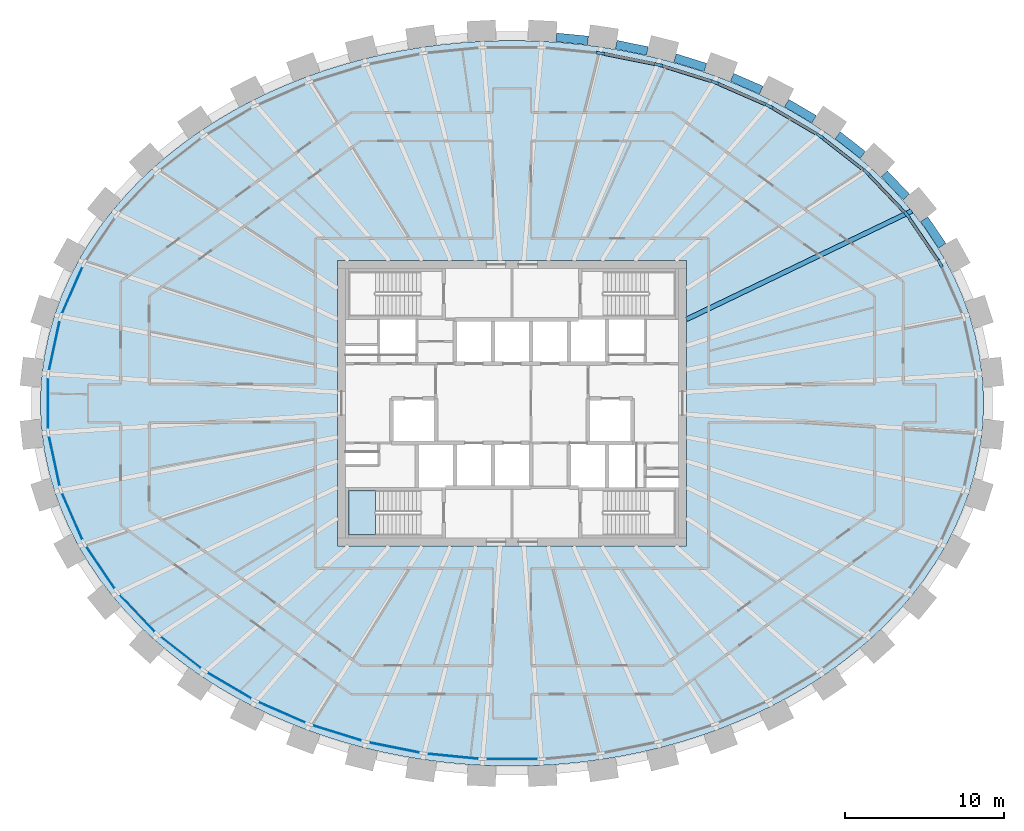
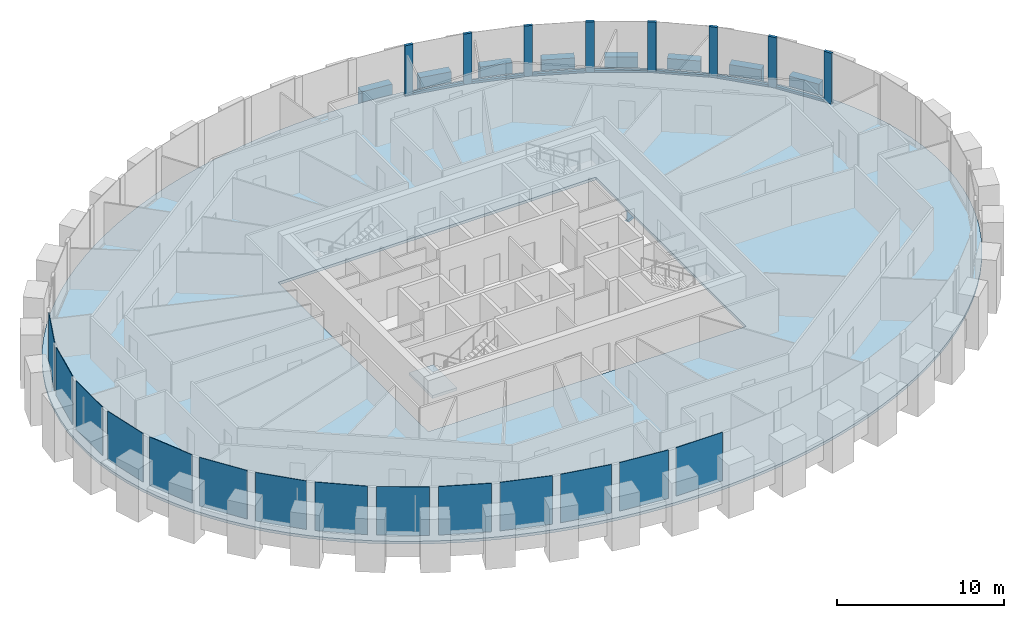
# One storey, part 4 of 12: 15 members, 14 plates, 9 beams, 2 slabs, 2 elements without a shape of their own.
"""IFC4 building model written with IfcOpenShell, lengths in metres."""

import ifcopenshell
import ifcopenshell.guid

model = None  # the IFC model being written
_history = None  # IfcOwnerHistory: only IFC2X3 demands one
_inside = {}  # id of a spatial element -> (the spatial element, [elements in it])
_under = {}  # id of a project, library or spatial element -> (it, [spatial elements below it])
_declared = {}  # id of a project -> (the project, [libraries it declares])
_typed = {}  # id of a type object -> (the type object, [elements of that type])
_made_of = {}  # id of a material, layer set ... -> (it, [elements and type objects made of it])


def new_model(schema):
    """Start an empty IFC model of exactly this schema.

    Asked for "IFC4X3", IfcOpenShell would pick the latest addendum, in which some entities
    have other attributes; the version numbers below select the first issue.
    IFC2X3 requires an IfcOwnerHistory on every rooted entity: one is made here for all.
    """
    global model, _history
    if schema == "IFC4X3":
        model = ifcopenshell.file(schema_version=(4, 3, 0, 0))
    else:
        model = ifcopenshell.file(schema=schema)
    _inside.clear()
    _under.clear()
    _declared.clear()
    _typed.clear()
    _made_of.clear()
    _history = None
    if model.schema == "IFC2X3":
        org = make("IfcOrganization", Name="unknown")
        user = make(
            "IfcPersonAndOrganization",
            ThePerson=make("IfcPerson", FamilyName="unknown"),
            TheOrganization=org,
        )
        app = make(
            "IfcApplication",
            ApplicationDeveloper=org,
            Version="unknown",
            ApplicationFullName="unknown",
            ApplicationIdentifier="unknown",
        )
        _history = make(
            "IfcOwnerHistory",
            OwningUser=user,
            OwningApplication=app,
            ChangeAction="ADDED",
            CreationDate=0,
        )
    return model


def make(cls, **values):
    """One entity of the class cls with the attributes given. An attribute that is None is left unset."""
    return model.create_entity(
        cls, **{name: value for name, value in values.items() if value is not None}
    )


def rooted(cls, **values):
    """An entity with a GlobalId (a new one), such as an element, a storey or a relation."""
    return make(cls, GlobalId=ifcopenshell.guid.new(), OwnerHistory=_history, **values)


def si_unit(unit_type, name, prefix=None):
    """IfcSIUnit, for example si_unit("LENGTHUNIT", "METRE", prefix="MILLI")."""
    return make("IfcSIUnit", UnitType=unit_type, Prefix=prefix, Name=name)


def assignment(units):
    """IfcUnitAssignment: the units of a project."""
    return None if units is None else make("IfcUnitAssignment", Units=units)


def point(xyz):
    """IfcCartesianPoint."""
    return None if xyz is None else make("IfcCartesianPoint", Coordinates=xyz)


def direction(xyz):
    """IfcDirection."""
    return None if xyz is None else make("IfcDirection", DirectionRatios=xyz)


def frame(location, z_axis=None, x_axis=None):
    """IfcAxis2Placement3D, a coordinate frame: its origin and axes. An axis left out is left unset."""
    return make(
        "IfcAxis2Placement3D",
        Location=point(location),
        Axis=direction(z_axis),
        RefDirection=direction(x_axis),
    )


def frame_2d(location, x_axis=None):
    """IfcAxis2Placement2D, a coordinate frame in the plane: its origin and x axis."""
    return make(
        "IfcAxis2Placement2D", Location=point(location), RefDirection=direction(x_axis)
    )


def origin():
    """The frame at (0, 0, 0) with its axes left unset."""
    return frame((0.0, 0.0, 0.0))


def origin_2d():
    """The frame at (0, 0) in the plane with its x axis left unset."""
    return frame_2d((0.0, 0.0))


def place(relative_to, where):
    """IfcLocalPlacement: puts the frame where relative to a parent placement (None: the world)."""
    return make(
        "IfcLocalPlacement", PlacementRelTo=relative_to, RelativePlacement=where
    )


def context(
    kind, dimensions, precision=None, world=None, true_north=None, identifier=None
):
    """IfcGeometricRepresentationContext, for example the 3D "Model" context."""
    return make(
        "IfcGeometricRepresentationContext",
        ContextIdentifier=identifier,
        ContextType=kind,
        CoordinateSpaceDimension=dimensions,
        Precision=precision,
        WorldCoordinateSystem=world,
        TrueNorth=true_north,
    )


def subcontext(parent, identifier, kind, view, scale=None):
    """IfcGeometricRepresentationSubContext, for example "Body" below "Model"."""
    return make(
        "IfcGeometricRepresentationSubContext",
        ContextIdentifier=identifier,
        ContextType=kind,
        ParentContext=parent,
        TargetScale=scale,
        TargetView=view,
    )


def project(units=None, contexts=None):
    """IfcProject with its units and contexts."""
    return rooted(
        "IfcProject",
        Name="project",
        RepresentationContexts=contexts,
        UnitsInContext=assignment(units),
    )


def spatial(cls, under=None, at=None, **own):
    """A site, building, storey or space (cls), placed at a placement, below another one or the project."""
    s = rooted(cls, ObjectPlacement=at, **own)
    if under is not None:
        _under.setdefault(under.id(), (under, []))[1].append(s)
    return s


def polyline(points):
    """IfcPolyline through the points."""
    return make("IfcPolyline", Points=[point(p) for p in points])


def profile(cls, at=None, kind="AREA", **sizes):
    """A parametric profile (cls). Its sizes go by their IFC names, for example OverallWidth=200.0."""
    return make(cls, ProfileType=kind, Position=at, **sizes)


def rectangle(**sizes):
    """IfcRectangleProfileDef."""
    return profile("IfcRectangleProfileDef", **sizes)


def i_section(**sizes):
    """IfcIShapeProfileDef."""
    return profile("IfcIShapeProfileDef", **sizes)


def outline(outer, holes=None, kind="AREA"):
    """IfcArbitraryClosedProfileDef: a profile drawn as a closed curve; with holes, ...WithVoids."""
    if holes is None:
        return make("IfcArbitraryClosedProfileDef", ProfileType=kind, OuterCurve=outer)
    return make(
        "IfcArbitraryProfileDefWithVoids",
        ProfileType=kind,
        OuterCurve=outer,
        InnerCurves=holes,
    )


def extrude(swept, where, along, depth):
    """IfcExtrudedAreaSolid: the profile swept, set in the frame where, extruded along a direction by depth."""
    return make(
        "IfcExtrudedAreaSolid",
        SweptArea=swept,
        Position=where,
        ExtrudedDirection=direction(along),
        Depth=depth,
    )


def shape(context_of_items, identifier, shape_type, items):
    """IfcShapeRepresentation: the items that make up one representation, for example the "Body"."""
    return make(
        "IfcShapeRepresentation",
        ContextOfItems=context_of_items,
        RepresentationIdentifier=identifier,
        RepresentationType=shape_type,
        Items=items,
    )


def source(mapping_origin, context_of_items, identifier, shape_type, items):
    """IfcRepresentationMap: a shape defined once, which mapped items show again and again."""
    return make(
        "IfcRepresentationMap",
        MappingOrigin=mapping_origin,
        MappedRepresentation=shape(context_of_items, identifier, shape_type, items),
    )


def transform(
    local_origin,
    x_axis=None,
    y_axis=None,
    z_axis=None,
    scale=None,
    scale2=None,
    scale3=None,
    uniform=True,
):
    """IfcCartesianTransformationOperator3D, or its non-uniform kind. x_axis, y_axis, z_axis: its Axis1, 2, 3."""
    if uniform:
        return make(
            "IfcCartesianTransformationOperator3D",
            Axis1=direction(x_axis),
            Axis2=direction(y_axis),
            LocalOrigin=point(local_origin),
            Scale=scale,
            Axis3=direction(z_axis),
        )
    return make(
        "IfcCartesianTransformationOperator3DnonUniform",
        Axis1=direction(x_axis),
        Axis2=direction(y_axis),
        LocalOrigin=point(local_origin),
        Scale=scale,
        Axis3=direction(z_axis),
        Scale2=scale2,
        Scale3=scale3,
    )


def mapped(mapping_source, mapping_target):
    """IfcMappedItem: shows the shape of a source again, moved by a transform."""
    return make(
        "IfcMappedItem", MappingSource=mapping_source, MappingTarget=mapping_target
    )


def material(Name=None, Category=None):
    """IfcMaterial."""
    return make("IfcMaterial", Name=Name, Category=Category)


def layer(
    of_material, thickness, ventilated=None, Name=None, Category=None, Priority=None
):
    """IfcMaterialLayer: one layer of a wall or slab, of a material (None: an air gap)."""
    return make(
        "IfcMaterialLayer",
        Material=of_material,
        LayerThickness=thickness,
        IsVentilated=ventilated,
        Name=Name,
        Category=Category,
        Priority=Priority,
    )


def layer_set(layers, Name=None):
    """IfcMaterialLayerSet."""
    return make("IfcMaterialLayerSet", MaterialLayers=layers, LayerSetName=Name)


def material_profile(
    of_material, cross_section, Name=None, Category=None, Priority=None
):
    """IfcMaterialProfile: a cross section and its material."""
    return make(
        "IfcMaterialProfile",
        Name=Name,
        Material=of_material,
        Profile=cross_section,
        Priority=Priority,
        Category=Category,
    )


def profile_set(profiles, Name=None, composite=None):
    """IfcMaterialProfileSet."""
    return make(
        "IfcMaterialProfileSet",
        Name=Name,
        MaterialProfiles=profiles,
        CompositeProfile=composite,
    )


def made_of(thing, what):
    """Note that an element or type object is made of a material, layer set ...; save() writes the relation."""
    if what is not None:
        _made_of.setdefault(what.id(), (what, []))[1].append(thing)
    return thing


def type_object(cls, material=None, **own):
    """A type object (cls), such as IfcWallType, which elements share."""
    return made_of(rooted(cls, **own), material)


def element(
    cls,
    number,
    at=None,
    inside=None,
    cuts=None,
    type_object=None,
    material=None,
    context=None,
    identifier="Body",
    shape_type=None,
    held_by="IfcProductDefinitionShape",
    body=None,
    shapes=None,
    **own,
):
    """One element of the class cls, such as IfcWall. Its Tag is "e" and its number.

    at: its placement. inside: the storey or other place that contains it. cuts: it is an
    opening in that element (IfcRelVoidsElement). A single representation is given by context,
    identifier, shape_type and body (its items); several are given by shapes. held_by: the class
    of the entity that holds the representations. save() writes the other relations.
    """
    e = rooted(cls, Tag="e%d" % number, ObjectPlacement=at, **own)
    if body is not None:
        shapes = [shape(context, identifier, shape_type, body)]
    if shapes is not None:
        e.Representation = make(held_by, Representations=shapes)
    if inside is not None:
        _inside.setdefault(inside.id(), (inside, []))[1].append(e)
    if cuts is not None:
        rooted(
            "IfcRelVoidsElement", RelatingBuildingElement=cuts, RelatedOpeningElement=e
        )
    if type_object is not None:
        _typed.setdefault(type_object.id(), (type_object, []))[1].append(e)
    return made_of(e, material)


def aggregate(whole, parts):
    """IfcRelAggregates: a whole, such as a stair, and the parts it consists of."""
    return rooted("IfcRelAggregates", RelatingObject=whole, RelatedObjects=parts)


def save(model, path):
    """Write the relations noted so far, then the file.

    IfcRelAggregates (storeys below a building ...), IfcRelContainedInSpatialStructure (elements
    in a storey), IfcRelDefinesByType, IfcRelAssociatesMaterial and IfcRelDeclares: one each for
    every whole, place, type object, material and project.
    """
    for whole, parts in _under.values():
        aggregate(whole, parts)
    for where, things in _inside.values():
        rooted(
            "IfcRelContainedInSpatialStructure",
            RelatedElements=things,
            RelatingStructure=where,
        )
    for kind, things in _typed.values():
        rooted("IfcRelDefinesByType", RelatedObjects=things, RelatingType=kind)
    for what, things in _made_of.values():
        rooted("IfcRelAssociatesMaterial", RelatedObjects=things, RelatingMaterial=what)
    for by, libraries in _declared.values():
        rooted("IfcRelDeclares", RelatingContext=by, RelatedDefinitions=libraries)
    model.write(path)


model = new_model("IFC4")

# Units and contexts
model_context = context("Model", 3, precision=1e-05, world=origin(), true_north=direction((0.0, 1.0)))
body_context = subcontext(model_context, "Body", "Model", "MODEL_VIEW")
ifc_project = project(units=[si_unit("LENGTHUNIT", "METRE"), si_unit("AREAUNIT", "SQUARE_METRE"), si_unit("VOLUMEUNIT", "CUBIC_METRE"), si_unit("PLANEANGLEUNIT", "RADIAN"), si_unit("MASSUNIT", "GRAM", prefix="KILO")], contexts=[model_context])

# Site, building, storey
site_placement = place(None, origin())
site = spatial("IfcSite", under=ifc_project, at=site_placement, CompositionType="ELEMENT")
building_placement = place(site_placement, origin())
building = spatial("IfcBuilding", under=site, at=building_placement, Name="Embergate Tower", CompositionType="ELEMENT")
storey_placement = place(building_placement, frame((0.0, 0.0, 309.10009765625)))
storey = spatial("IfcBuildingStorey", under=building, at=storey_placement, Name="L72", CompositionType="ELEMENT", Elevation=309.10009765625)

# Beams
ifc_material_1 = material(Name="Concrete C50", Category="concrete")
ifc_material_profile_1 = material_profile(ifc_material_1, rectangle(XDim=0.550048828125, YDim=1.5, at=origin_2d()), Name="RC 550x1500")
ifc_profile_set_1 = profile_set([ifc_material_profile_1], Name="Concrete C50")
beam_type_1 = type_object("IfcBeamType", Name="Spandrel beam RC 550x1500 C50", PredefinedType="BEAM", material=ifc_profile_set_1)
shared_shape_1 = source(origin(), body_context, "Body", "SweptSolid", [
    extrude(rectangle(XDim=0.550048828125, YDim=1.5, at=origin_2d()), origin(), (0.0, 0.0, 1.0), 2.02392578125),
])
beam_1_placement = place(storey_placement, frame((27.137939453125, 9.93505859375, 0.0), z_axis=(-0.562220937061, 0.826987072408, 0.0), x_axis=(-0.826987072408, -0.562220937061, 0.0)))
element("IfcBeam", 1, at=beam_1_placement, inside=storey, type_object=beam_type_1, Name="SPN-L72-02", PredefinedType="BEAM", context=body_context, shape_type="MappedRepresentation", body=[
    mapped(shared_shape_1, transform((0.0, 0.0, 0.0))),
])
shared_shape_2 = source(origin(), body_context, "Body", "SweptSolid", [
    extrude(rectangle(XDim=0.550048828125, YDim=1.5, at=origin_2d()), origin(), (0.0, 0.0, 1.0), 2.0185546875),
])
beam_2_placement = place(storey_placement, frame((24.868896484375, 13.009033203125, 0.0), z_axis=(-0.690032605045, 0.723778283714, 0.0), x_axis=(-0.723778283714, -0.690032605045, 0.0)))
element("IfcBeam", 2, at=beam_2_placement, inside=storey, type_object=beam_type_1, Name="SPN-L72-03", PredefinedType="BEAM", context=body_context, shape_type="MappedRepresentation", body=[
    mapped(shared_shape_2, transform((0.0, 0.0, 0.0))),
])
shared_shape_3 = source(origin(), body_context, "Body", "SweptSolid", [
    extrude(rectangle(XDim=0.550048828125, YDim=1.5, at=origin_2d()), origin(), (0.0, 0.0, 1.0), 2.011962890625),
])
beam_3_placement = place(storey_placement, frame((22.1279296875, 15.6640625, 0.0), z_axis=(-0.788259795351, 0.615342583471, 0.0), x_axis=(-0.615342583471, -0.788259795351, 0.0)))
element("IfcBeam", 3, at=beam_3_placement, inside=storey, type_object=beam_type_1, Name="SPN-L72-04", PredefinedType="BEAM", context=body_context, shape_type="MappedRepresentation", body=[
    mapped(shared_shape_3, transform((0.0, 0.0, 0.0))),
])
shared_shape_4 = source(origin(), body_context, "Body", "SweptSolid", [
    extrude(rectangle(XDim=0.550048828125, YDim=1.5, at=origin_2d()), origin(), (0.0, 0.0, 1.0), 2.008056640625),
])
beam_4_placement = place(storey_placement, frame((19.052978515625, 17.9140625, 0.0), z_axis=(-0.86201859197, 0.506876658663, 0.0), x_axis=(-0.506876658663, -0.86201859197, 0.0)))
element("IfcBeam", 4, at=beam_4_placement, inside=storey, type_object=beam_type_1, Name="SPN-L72-05", PredefinedType="BEAM", context=body_context, shape_type="MappedRepresentation", body=[
    mapped(shared_shape_4, transform((0.0, 0.0, 0.0))),
])
shared_shape_5 = source(origin(), body_context, "Body", "SweptSolid", [
    extrude(rectangle(XDim=0.550048828125, YDim=1.5, at=origin_2d()), origin(), (0.0, 0.0, 1.0), 2.0068359375),
])
beam_5_placement = place(storey_placement, frame((15.718994140625, 19.75, 0.0), z_axis=(-0.916455842534, 0.400135837793, 0.0), x_axis=(-0.400135837793, -0.916455842534, 0.0)))
element("IfcBeam", 5, at=beam_5_placement, inside=storey, type_object=beam_type_1, Name="SPN-L72-06", PredefinedType="BEAM", context=body_context, shape_type="MappedRepresentation", body=[
    mapped(shared_shape_5, transform((0.0, 0.0, 0.0))),
])
shared_shape_6 = source(origin(), body_context, "Body", "SweptSolid", [
    extrude(rectangle(XDim=0.550048828125, YDim=1.5, at=origin_2d()), origin(), (0.0, 0.0, 1.0), 2.0048828125),
])
beam_6_placement = place(storey_placement, frame((12.194091796875, 21.181884765625, 0.0), z_axis=(-0.954756929567, 0.297387298725, 0.0), x_axis=(-0.297387298725, -0.954756929567, 0.0)))
element("IfcBeam", 6, at=beam_6_placement, inside=storey, type_object=beam_type_1, Name="SPN-L72-07", PredefinedType="BEAM", context=body_context, shape_type="MappedRepresentation", body=[
    mapped(shared_shape_6, transform((0.0, 0.0, 0.0))),
])
shared_shape_7 = source(origin(), body_context, "Body", "SweptSolid", [
    extrude(rectangle(XDim=0.550048828125, YDim=1.5, at=origin_2d()), origin(), (0.0, 0.0, 1.0), 2.003173828125),
])
beam_7_placement = place(storey_placement, frame((8.535888671875, 22.222900390625, 0.0), z_axis=(-0.980364457571, 0.197194143753, 0.0), x_axis=(-0.197194143753, -0.980364457571, 0.0)))
element("IfcBeam", 7, at=beam_7_placement, inside=storey, type_object=beam_type_1, Name="SPN-L72-08", PredefinedType="BEAM", context=body_context, shape_type="MappedRepresentation", body=[
    mapped(shared_shape_7, transform((0.0, 0.0, 0.0))),
])
shared_shape_8 = source(origin(), body_context, "Body", "SweptSolid", [
    extrude(rectangle(XDim=0.550048828125, YDim=1.5, at=origin_2d()), origin(), (0.0, 0.0, 1.0), 2.00341796875),
])
beam_8_placement = place(storey_placement, frame((4.7919921875, 22.883056640625, 0.0), z_axis=(-0.995201107697, 0.097850678276, 0.0), x_axis=(-0.097850678276, -0.995201107697, 0.0)))
element("IfcBeam", 8, at=beam_8_placement, inside=storey, type_object=beam_type_1, Name="SPN-L72-09", PredefinedType="BEAM", context=body_context, shape_type="MappedRepresentation", body=[
    mapped(shared_shape_8, transform((0.0, 0.0, 0.0))),
])
ifc_material_2 = material(Name="Steel Q355B", Category="steel")
ifc_material_profile_2 = material_profile(ifc_material_2, i_section(OverallWidth=0.300048828125, OverallDepth=0.800048828125, WebThickness=0.013916015625, FlangeThickness=0.02587890625, FilletRadius=0.028076171875, at=origin_2d()), Name="HN 800x300x14x26")
ifc_profile_set_2 = profile_set([ifc_material_profile_2], Name="Steel Q355 grade B")
beam_type_2 = type_object("IfcBeamType", Name="Radial girder HN 800x300x14x26", PredefinedType="BEAM", material=ifc_profile_set_2)
shared_shape_9 = source(origin(), body_context, "Body", "SweptSolid", [
    extrude(i_section(OverallWidth=0.300048828125, OverallDepth=0.800048828125, WebThickness=0.013916015625, FlangeThickness=0.02587890625, FilletRadius=0.028076171875, at=origin_2d()), origin(), (0.0, 0.0, 1.0), 15.775634765625),
])
beam_9_placement = place(storey_placement, frame((25.216064453125, 12.131103515625, -0.60009765625), z_axis=(-0.901141870193, -0.433524312795, 0.0), x_axis=(0.433524312795, -0.901141870193, 0.0)))
element("IfcBeam", 9, at=beam_9_placement, inside=storey, type_object=beam_type_2, Name="GIR-L72-03", PredefinedType="BEAM", context=body_context, shape_type="MappedRepresentation", body=[
    mapped(shared_shape_9, transform((0.0, 0.0, 0.0))),
])

# Curtain wall, members
ifc_material_3 = material(Name="Aluminium and glass", Category="aluminium")
curtain_wall_type = type_object("IfcCurtainWallType", Name="Recessed office glazing", PredefinedType="NOTDEFINED", material=ifc_material_3)
curtain_wall_placement = place(storey_placement, origin())
curtain_wall = element("IfcCurtainWall", 10, at=curtain_wall_placement, inside=storey, type_object=curtain_wall_type, Name="Recessed office glazing ring", ObjectType="RECESSED OFFICE GLAZING", PredefinedType="USERDEFINED")
ifc_material_4 = material(Name="Aluminium, thermally broken", Category="aluminium")
ifc_material_profile_3 = material_profile(ifc_material_4, rectangle(XDim=0.179931640625, YDim=0.52001953125, at=origin_2d()), Name="AL 520x180")
ifc_profile_set_3 = profile_set([ifc_material_profile_3], Name="Aluminium, thermally broken")
member_type_1 = type_object("IfcMemberType", Name="Office mullion", PredefinedType="MULLION", material=ifc_profile_set_3)
shared_shape_10 = source(origin(), body_context, "Body", "SweptSolid", [
    extrude(rectangle(XDim=0.179931640625, YDim=0.52001953125, at=origin_2d()), origin(), (0.0, 0.0, 1.0), 3.699951171875),
])
member_1_placement = place(storey_placement, frame((26.994140625, 8.824951171875, 0.0), z_axis=(0.0, 0.0, 1.0), x_axis=(-0.87499344622, -0.484134763338, 0.0)))
member_1 = element("IfcMember", 11, at=member_1_placement, type_object=member_type_1, Name="CW mullion 3", PredefinedType="MULLION", context=body_context, shape_type="MappedRepresentation", body=[
    mapped(shared_shape_10, transform((0.0, 0.0, 0.0))),
])
member_2_placement = place(storey_placement, frame((24.913330078125, 11.884765625, 0.0), z_axis=(0.0, 0.0, 1.0), x_axis=(-0.777863789852, -0.628432911643, 0.0)))
member_2 = element("IfcMember", 12, at=member_2_placement, type_object=member_type_1, Name="CW mullion 4", PredefinedType="MULLION", context=body_context, shape_type="MappedRepresentation", body=[
    mapped(shared_shape_10, transform((0.0, 0.0, 0.0))),
])
member_3_placement = place(storey_placement, frame((22.353759765625, 14.56884765625, 0.0), z_axis=(0.0, 0.0, 1.0), x_axis=(-0.671220065284, -0.741258135847, 0.0)))
member_3 = element("IfcMember", 13, at=member_3_placement, type_object=member_type_1, Name="CW mullion 5", PredefinedType="MULLION", context=body_context, shape_type="MappedRepresentation", body=[
    mapped(shared_shape_10, transform((0.0, 0.0, 0.0))),
])
member_4_placement = place(storey_placement, frame((19.42431640625, 16.855224609375, 0.0), z_axis=(0.0, 0.0, 1.0), x_axis=(-0.56221328843, -0.826992272221, 0.0)))
member_4 = element("IfcMember", 14, at=member_4_placement, type_object=member_type_1, Name="CW mullion 6", PredefinedType="MULLION", context=body_context, shape_type="MappedRepresentation", body=[
    mapped(shared_shape_10, transform((0.0, 0.0, 0.0))),
])
member_5_placement = place(storey_placement, frame((16.2158203125, 18.741455078125, 0.0), z_axis=(0.0, 0.0, 1.0), x_axis=(-0.454508271251, -0.890742516872, 0.0)))
member_5 = element("IfcMember", 15, at=member_5_placement, type_object=member_type_1, Name="CW mullion 7", PredefinedType="MULLION", context=body_context, shape_type="MappedRepresentation", body=[
    mapped(shared_shape_10, transform((0.0, 0.0, 0.0))),
])
member_6_placement = place(storey_placement, frame((12.801513671875, 20.234619140625, 0.0), z_axis=(0.0, 0.0, 1.0), x_axis=(-0.349501047589, -0.936935973124, 0.0)))
member_6 = element("IfcMember", 16, at=member_6_placement, type_object=member_type_1, Name="CW mullion 8", PredefinedType="MULLION", context=body_context, shape_type="MappedRepresentation", body=[
    mapped(shared_shape_10, transform((0.0, 0.0, 0.0))),
])
member_7_placement = place(storey_placement, frame((9.240478515625, 21.343505859375, 0.0), z_axis=(0.0, 0.0, 1.0), x_axis=(-0.24731188137, -0.968935928394, 0.0)))
member_7 = element("IfcMember", 17, at=member_7_placement, type_object=member_type_1, Name="CW mullion 9", PredefinedType="MULLION", context=body_context, shape_type="MappedRepresentation", body=[
    mapped(shared_shape_10, transform((0.0, 0.0, 0.0))),
])
member_8_placement = place(storey_placement, frame((5.581787109375, 22.0771484375, 0.0), z_axis=(0.0, 0.0, 1.0), x_axis=(-0.147412382818, -0.989075118174, 0.0)))
member_8 = element("IfcMember", 18, at=member_8_placement, type_object=member_type_1, Name="CW mullion 10", PredefinedType="MULLION", context=body_context, shape_type="MappedRepresentation", body=[
    mapped(shared_shape_10, transform((0.0, 0.0, 0.0))),
])
ifc_material_profile_4 = material_profile(ifc_material_4, rectangle(XDim=0.179931640625, YDim=0.14990234375, at=origin_2d()), Name="AL 150x180")
ifc_profile_set_4 = profile_set([ifc_material_profile_4], Name="Aluminium, thermally broken")
member_type_2 = type_object("IfcMemberType", Name="Office sill transom", PredefinedType="USERDEFINED", material=ifc_profile_set_4)
shared_shape_11 = source(origin(), body_context, "Body", "SweptSolid", [
    extrude(rectangle(XDim=0.179931640625, YDim=0.14990234375, at=origin_2d()), origin(), (0.0, 0.0, 1.0), 3.180419921875),
])
member_9_placement = place(storey_placement, frame((26.847900390625, 9.039794921875, 0.074951171875), z_axis=(-0.562276427382, 0.826949345009, 0.0), x_axis=(-0.826949345009, -0.562276427382, 0.0)))
member_9 = element("IfcMember", 19, at=member_9_placement, type_object=member_type_2, Name="CW transom 3.1", ObjectType="TRANSOM", PredefinedType="USERDEFINED", context=body_context, shape_type="MappedRepresentation", body=[
    mapped(shared_shape_11, transform((0.0, 0.0, 0.0))),
])
shared_shape_12 = source(origin(), body_context, "Body", "SweptSolid", [
    extrude(rectangle(XDim=0.179931640625, YDim=0.14990234375, at=origin_2d()), origin(), (0.0, 0.0, 1.0), 3.188720703125),
])
member_10_placement = place(storey_placement, frame((24.73388671875, 12.072998046875, 0.074951171875), z_axis=(-0.690140615527, 0.723675293761, 0.0), x_axis=(-0.723675293761, -0.690140615527, 0.0)))
member_10 = element("IfcMember", 20, at=member_10_placement, type_object=member_type_2, Name="CW transom 4.1", ObjectType="TRANSOM", PredefinedType="USERDEFINED", context=body_context, shape_type="MappedRepresentation", body=[
    mapped(shared_shape_12, transform((0.0, 0.0, 0.0))),
])
shared_shape_13 = source(origin(), body_context, "Body", "SweptSolid", [
    extrude(rectangle(XDim=0.179931640625, YDim=0.14990234375, at=origin_2d()), origin(), (0.0, 0.0, 1.0), 3.196044921875),
])
member_11_placement = place(storey_placement, frame((22.148681640625, 14.728759765625, 0.074951171875), z_axis=(-0.788302228684, 0.615288222098, 0.0), x_axis=(-0.615288222098, -0.788302228684, 0.0)))
member_11 = element("IfcMember", 21, at=member_11_placement, type_object=member_type_2, Name="CW transom 5.1", ObjectType="TRANSOM", PredefinedType="USERDEFINED", context=body_context, shape_type="MappedRepresentation", body=[
    mapped(shared_shape_13, transform((0.0, 0.0, 0.0))),
])
shared_shape_14 = source(origin(), body_context, "Body", "SweptSolid", [
    extrude(rectangle(XDim=0.179931640625, YDim=0.14990234375, at=origin_2d()), origin(), (0.0, 0.0, 1.0), 3.201904296875),
])
member_12_placement = place(storey_placement, frame((19.2001953125, 16.98681640625, 0.074951171875), z_axis=(-0.862053756613, 0.506816851248, 0.0), x_axis=(-0.506816851248, -0.862053756613, 0.0)))
member_12 = element("IfcMember", 22, at=member_12_placement, type_object=member_type_2, Name="CW transom 6.1", ObjectType="TRANSOM", PredefinedType="USERDEFINED", context=body_context, shape_type="MappedRepresentation", body=[
    mapped(shared_shape_14, transform((0.0, 0.0, 0.0))),
])
shared_shape_15 = source(origin(), body_context, "Body", "SweptSolid", [
    extrude(rectangle(XDim=0.179931640625, YDim=0.14990234375, at=origin_2d()), origin(), (0.0, 0.0, 1.0), 3.206298828125),
])
member_13_placement = place(storey_placement, frame((15.9775390625, 18.845703125, 0.074951171875), z_axis=(-0.916225475643, 0.400663047688, 0.0), x_axis=(-0.400663047688, -0.916225475643, 0.0)))
member_13 = element("IfcMember", 23, at=member_13_placement, type_object=member_type_2, Name="CW transom 7.1", ObjectType="TRANSOM", PredefinedType="USERDEFINED", context=body_context, shape_type="MappedRepresentation", body=[
    mapped(shared_shape_15, transform((0.0, 0.0, 0.0))),
])
shared_shape_16 = source(origin(), body_context, "Body", "SweptSolid", [
    extrude(rectangle(XDim=0.179931640625, YDim=0.14990234375, at=origin_2d()), origin(), (0.0, 0.0, 1.0), 3.20947265625),
])
member_14_placement = place(storey_placement, frame((12.55322265625, 20.311767578125, 0.074951171875), z_axis=(-0.954765144534, 0.297360923431, 0.0), x_axis=(-0.297360923431, -0.954765144534, 0.0)))
member_14 = element("IfcMember", 24, at=member_14_placement, type_object=member_type_2, Name="CW transom 8.1", ObjectType="TRANSOM", PredefinedType="USERDEFINED", context=body_context, shape_type="MappedRepresentation", body=[
    mapped(shared_shape_16, transform((0.0, 0.0, 0.0))),
])
shared_shape_17 = source(origin(), body_context, "Body", "SweptSolid", [
    extrude(rectangle(XDim=0.179931640625, YDim=0.14990234375, at=origin_2d()), origin(), (0.0, 0.0, 1.0), 3.211669921875),
])
member_15_placement = place(storey_placement, frame((8.985595703125, 21.39453125, 0.074951171875), z_axis=(-0.980472347912, 0.196656998298, 0.0), x_axis=(-0.196656998298, -0.980472347912, 0.0)))
member_15 = element("IfcMember", 25, at=member_15_placement, type_object=member_type_2, Name="CW transom 9.1", ObjectType="TRANSOM", PredefinedType="USERDEFINED", context=body_context, shape_type="MappedRepresentation", body=[
    mapped(shared_shape_17, transform((0.0, 0.0, 0.0))),
])

# Slab
ifc_material_5 = material(Name="Concrete C40", Category="concrete")
ifc_layer_1 = layer(ifc_material_5, 0.199951171875)
ifc_layer_set_1 = layer_set([ifc_layer_1], Name="Concrete C40")
slab_type_1 = type_object("IfcSlabType", Name="Composite floor slab C40 200", PredefinedType="FLOOR", material=ifc_layer_set_1)
shared_shape_18 = source(origin(), body_context, "Body", "SweptSolid", [
    extrude(outline(polyline([(0.0, 0.0), (1.2578125, 0.0), (2.514892578125, 0.041015625), (3.77197265625, 0.123046875), (5.02392578125, 0.24609375), (6.267822265625, 0.41015625), (7.513916015625, 0.615966796875), (8.746826171875, 0.864013671875), (9.9658203125, 1.152099609375), (11.18701171875, 1.485107421875), (12.387939453125, 1.859130859375), (13.56591796875, 2.27294921875), (14.746826171875, 2.737060546875), (15.89892578125, 3.240966796875), (17.02099609375, 3.783935546875), (18.142822265625, 4.382080078125), (19.226806640625, 5.02001953125), (20.27197265625, 5.695068359375), (21.309814453125, 6.43212890625), (22.301025390625, 7.205078125), (23.243896484375, 8.01416015625), (24.1689453125, 8.89013671875), (25.035888671875, 9.800048828125), (25.844970703125, 10.741943359375), (26.619873046875, 11.7529296875), (27.326904296875, 12.7919921875), (27.9638671875, 13.858154296875), (28.546875, 14.987060546875), (29.052001953125, 16.137939453125), (29.476806640625, 17.30810546875), (29.827880859375, 18.52392578125), (30.091796875, 19.751953125), (30.268798828125, 20.989990234375), (30.35888671875, 22.2451171875), (30.35888671875, 23.5009765625), (30.268798828125, 24.756103515625), (30.091796875, 25.994140625), (29.827880859375, 27.22216796875), (29.476806640625, 28.43798828125), (29.052001953125, 29.608154296875), (28.546875, 30.759033203125), (27.9638671875, 31.887939453125), (27.326904296875, 32.9541015625), (26.619873046875, 33.9931640625), (25.844970703125, 35.004150390625), (25.035888671875, 35.946044921875), (24.1689453125, 36.85595703125), (23.243896484375, 37.73193359375), (22.301025390625, 38.541015625), (21.309814453125, 39.31396484375), (20.27197265625, 40.051025390625), (19.226806640625, 40.72607421875), (18.142822265625, 41.364013671875), (17.02099609375, 41.962158203125), (15.89892578125, 42.505126953125), (14.746826171875, 43.009033203125), (13.56591796875, 43.47314453125), (12.387939453125, 43.886962890625), (11.18701171875, 44.260986328125), (9.9658203125, 44.593994140625), (8.746826171875, 44.882080078125), (7.513916015625, 45.130126953125), (6.267822265625, 45.3359375), (5.02392578125, 45.5), (3.77197265625, 45.623046875), (2.514892578125, 45.705078125), (1.2578125, 45.74609375), (0.0, 45.74609375), (-1.257080078125, 45.705078125), (-2.51416015625, 45.623046875), (-3.76611328125, 45.5), (-5.010009765625, 45.3359375), (-6.256103515625, 45.130126953125), (-7.489013671875, 44.882080078125), (-8.7080078125, 44.593994140625), (-9.92919921875, 44.260986328125), (-11.130126953125, 43.886962890625), (-12.30810546875, 43.47314453125), (-13.489013671875, 43.009033203125), (-14.64111328125, 42.505126953125), (-15.76318359375, 41.962158203125), (-16.885009765625, 41.364013671875), (-17.968994140625, 40.72607421875), (-19.01416015625, 40.051025390625), (-20.052001953125, 39.31396484375), (-21.043212890625, 38.541015625), (-21.986083984375, 37.73193359375), (-22.9111328125, 36.85595703125), (-23.778076171875, 35.946044921875), (-24.587158203125, 35.004150390625), (-25.362060546875, 33.9931640625), (-26.069091796875, 32.9541015625), (-26.7060546875, 31.887939453125), (-27.2890625, 30.759033203125), (-27.794189453125, 29.608154296875), (-28.218994140625, 28.43798828125), (-28.570068359375, 27.22216796875), (-28.833984375, 25.994140625), (-29.010986328125, 24.756103515625), (-29.10107421875, 23.5009765625), (-29.10107421875, 22.2451171875), (-29.010986328125, 20.989990234375), (-28.833984375, 19.751953125), (-28.570068359375, 18.52392578125), (-28.218994140625, 17.30810546875), (-27.794189453125, 16.137939453125), (-27.2890625, 14.987060546875), (-26.7060546875, 13.858154296875), (-26.069091796875, 12.7919921875), (-25.362060546875, 11.7529296875), (-24.587158203125, 10.741943359375), (-23.778076171875, 9.800048828125), (-22.9111328125, 8.89013671875), (-21.986083984375, 8.01416015625), (-21.043212890625, 7.205078125), (-20.052001953125, 6.43212890625), (-19.01416015625, 5.695068359375), (-17.968994140625, 5.02001953125), (-16.885009765625, 4.382080078125), (-15.76318359375, 3.783935546875), (-14.64111328125, 3.240966796875), (-13.489013671875, 2.737060546875), (-12.30810546875, 2.27294921875), (-11.130126953125, 1.859130859375), (-9.92919921875, 1.485107421875), (-8.7080078125, 1.152099609375), (-7.489013671875, 0.864013671875), (-6.256103515625, 0.615966796875), (-5.010009765625, 0.41015625), (-3.76611328125, 0.24609375), (-2.51416015625, 0.123046875), (-1.257080078125, 0.041015625), (0.0, 0.0)]), holes=[polyline([(-10.37109375, 13.873046875), (-10.37109375, 31.873046875), (11.62890625, 31.873046875), (11.62890625, 13.873046875), (-10.37109375, 13.873046875)])]), origin(), (0.0, 0.0, 1.0), 0.2001953125),
])
slab_1_placement = place(storey_placement, frame((-0.62890625, -22.873046875, -0.2001953125)))
element("IfcSlab", 26, at=slab_1_placement, inside=storey, type_object=slab_type_1, Name="SLB-L72-00", PredefinedType="FLOOR", context=body_context, shape_type="MappedRepresentation", body=[
    mapped(shared_shape_18, transform((0.0, 0.0, 0.0))),
])

# Plate
ifc_material_6 = material(Name="Triple glazing, low-emissivity coating", Category="glass")
ifc_layer_2 = layer(ifc_material_6, 0.035888671875)
ifc_layer_set_2 = layer_set([ifc_layer_2], Name="Triple glazing, low-emissivity coating")
plate_type = type_object("IfcPlateType", Name="Office glazing unit", PredefinedType="CURTAIN_PANEL", material=ifc_layer_set_2)
shared_shape_19 = source(origin(), body_context, "Body", "SweptSolid", [
    extrude(rectangle(XDim=3.1650390625, YDim=0.035888671875, at=origin_2d()), origin(), (0.0, 0.0, 1.0), 3.550048828125),
])
plate_1_placement = place(storey_placement, frame((-28.86474609375, 3.642578125, 0.14990234375), z_axis=(0.0, 0.0, 1.0), x_axis=(-0.210398391177, -0.97761573074, 0.0)))
plate_1 = element("IfcPlate", 27, at=plate_1_placement, type_object=plate_type, Name="CW panel 21.1", PredefinedType="CURTAIN_PANEL", context=body_context, shape_type="MappedRepresentation", body=[
    mapped(shared_shape_19, transform((0.0, 0.0, 0.0))),
])

plate_2_placement = place(storey_placement, frame((-28.86474609375, -3.642578125, 0.14990234375), z_axis=(0.0, 0.0, 1.0), x_axis=(0.210398391177, -0.97761573074, 0.0)))
plate_2 = element("IfcPlate", 28, at=plate_2_placement, type_object=plate_type, Name="CW panel 23.1", PredefinedType="CURTAIN_PANEL", context=body_context, shape_type="MappedRepresentation", body=[
    mapped(shared_shape_19, transform((0.0, 0.0, 0.0))),
])

shared_shape_20 = source(origin(), body_context, "Body", "SweptSolid", [
    extrude(rectangle(XDim=3.171875, YDim=0.035888671875, at=origin_2d()), origin(), (0.0, 0.0, 1.0), 3.550048828125),
])
plate_3_placement = place(storey_placement, frame((-27.735595703125, 7.134521484375, 0.14990234375), z_axis=(0.0, 0.0, 1.0), x_axis=(-0.401652101157, -0.91579232888, 0.0)))
plate_3 = element("IfcPlate", 29, at=plate_3_placement, type_object=plate_type, Name="CW panel 20.1", PredefinedType="CURTAIN_PANEL", context=body_context, shape_type="MappedRepresentation", body=[
    mapped(shared_shape_20, transform((0.0, 0.0, 0.0))),
])

plate_4_placement = place(storey_placement, frame((-27.735595703125, -7.134521484375, 0.14990234375), z_axis=(0.0, 0.0, 1.0), x_axis=(0.401652101157, -0.91579232888, 0.0)))
plate_4 = element("IfcPlate", 30, at=plate_4_placement, type_object=plate_type, Name="CW panel 24.1", PredefinedType="CURTAIN_PANEL", context=body_context, shape_type="MappedRepresentation", body=[
    mapped(shared_shape_20, transform((0.0, 0.0, 0.0))),
])

shared_shape_21 = source(origin(), body_context, "Body", "SweptSolid", [
    extrude(rectangle(XDim=3.180419921875, YDim=0.035888671875, at=origin_2d()), origin(), (0.0, 0.0, 1.0), 3.550048828125),
])
plate_5_placement = place(storey_placement, frame((-25.95361328125, -10.354736328125, 0.14990234375), z_axis=(0.0, 0.0, 1.0), x_axis=(0.562341741915, -0.826904931234, 0.0)))
plate_5 = element("IfcPlate", 31, at=plate_5_placement, type_object=plate_type, Name="CW panel 25.1", PredefinedType="CURTAIN_PANEL", context=body_context, shape_type="MappedRepresentation", body=[
    mapped(shared_shape_21, transform((0.0, 0.0, 0.0))),
])

shared_shape_22 = source(origin(), body_context, "Body", "SweptSolid", [
    extrude(rectangle(XDim=3.188720703125, YDim=0.035888671875, at=origin_2d()), origin(), (0.0, 0.0, 1.0), 3.550048828125),
])
plate_6_placement = place(storey_placement, frame((-23.633544921875, -13.226806640625, 0.14990234375), z_axis=(0.0, 0.0, 1.0), x_axis=(0.6901325214, -0.723683012724, 0.0)))
plate_6 = element("IfcPlate", 32, at=plate_6_placement, type_object=plate_type, Name="CW panel 26.1", PredefinedType="CURTAIN_PANEL", context=body_context, shape_type="MappedRepresentation", body=[
    mapped(shared_shape_22, transform((0.0, 0.0, 0.0))),
])

shared_shape_23 = source(origin(), body_context, "Body", "SweptSolid", [
    extrude(rectangle(XDim=3.196044921875, YDim=0.035888671875, at=origin_2d()), origin(), (0.0, 0.0, 1.0), 3.550048828125),
])
plate_7_placement = place(storey_placement, frame((-20.888916015625, -15.7119140625, 0.14990234375), z_axis=(0.0, 0.0, 1.0), x_axis=(0.788317971569, -0.615268051911, 0.0)))
plate_7 = element("IfcPlate", 33, at=plate_7_placement, type_object=plate_type, Name="CW panel 27.1", PredefinedType="CURTAIN_PANEL", context=body_context, shape_type="MappedRepresentation", body=[
    mapped(shared_shape_23, transform((0.0, 0.0, 0.0))),
])

shared_shape_24 = source(origin(), body_context, "Body", "SweptSolid", [
    extrude(rectangle(XDim=3.201904296875, YDim=0.035888671875, at=origin_2d()), origin(), (0.0, 0.0, 1.0), 3.550048828125),
])
plate_8_placement = place(storey_placement, frame((-17.820068359375, -17.79833984375, 0.14990234375), z_axis=(0.0, 0.0, 1.0), x_axis=(0.862050514108, -0.506822366443, 0.0)))
plate_8 = element("IfcPlate", 34, at=plate_8_placement, type_object=plate_type, Name="CW panel 28.1", PredefinedType="CURTAIN_PANEL", context=body_context, shape_type="MappedRepresentation", body=[
    mapped(shared_shape_24, transform((0.0, 0.0, 0.0))),
])

shared_shape_25 = source(origin(), body_context, "Body", "SweptSolid", [
    extrude(rectangle(XDim=3.206298828125, YDim=0.035888671875, at=origin_2d()), origin(), (0.0, 0.0, 1.0), 3.550048828125),
])
plate_9_placement = place(storey_placement, frame((-14.508544921875, -19.488037109375, 0.14990234375), z_axis=(0.0, 0.0, 1.0), x_axis=(0.91623411399, -0.400643293168, 0.0)))
plate_9 = element("IfcPlate", 35, at=plate_9_placement, type_object=plate_type, Name="CW panel 29.1", PredefinedType="CURTAIN_PANEL", context=body_context, shape_type="MappedRepresentation", body=[
    mapped(shared_shape_25, transform((0.0, 0.0, 0.0))),
])

shared_shape_26 = source(origin(), body_context, "Body", "SweptSolid", [
    extrude(rectangle(XDim=3.209716796875, YDim=0.035888671875, at=origin_2d()), origin(), (0.0, 0.0, 1.0), 3.550048828125),
])
plate_10_placement = place(storey_placement, frame((-11.02099609375, -20.788818359375, 0.14990234375), z_axis=(0.0, 0.0, 1.0), x_axis=(0.954771179262, -0.297341546458, 0.0)))
plate_10 = element("IfcPlate", 36, at=plate_10_placement, type_object=plate_type, Name="CW panel 30.1", PredefinedType="CURTAIN_PANEL", context=body_context, shape_type="MappedRepresentation", body=[
    mapped(shared_shape_26, transform((0.0, 0.0, 0.0))),
])

shared_shape_27 = source(origin(), body_context, "Body", "SweptSolid", [
    extrude(rectangle(XDim=3.211669921875, YDim=0.035888671875, at=origin_2d()), origin(), (0.0, 0.0, 1.0), 3.550048828125),
])
plate_11_placement = place(storey_placement, frame((-7.4111328125, -21.710205078125, 0.14990234375), z_axis=(0.0, 0.0, 1.0), x_axis=(0.980475221003, -0.196642673395, 0.0)))
plate_11 = element("IfcPlate", 37, at=plate_11_placement, type_object=plate_type, Name="CW panel 31.1", PredefinedType="CURTAIN_PANEL", context=body_context, shape_type="MappedRepresentation", body=[
    mapped(shared_shape_27, transform((0.0, 0.0, 0.0))),
])

shared_shape_28 = source(origin(), body_context, "Body", "SweptSolid", [
    extrude(rectangle(XDim=3.212890625, YDim=0.035888671875, at=origin_2d()), origin(), (0.0, 0.0, 1.0), 3.550048828125),
])
plate_12_placement = place(storey_placement, frame((-3.72412109375, -22.259765625, 0.14990234375), z_axis=(0.0, 0.0, 1.0), x_axis=(0.995203014042, -0.097831287645, 0.0)))
plate_12 = element("IfcPlate", 38, at=plate_12_placement, type_object=plate_type, Name="CW panel 32.1", PredefinedType="CURTAIN_PANEL", context=body_context, shape_type="MappedRepresentation", body=[
    mapped(shared_shape_28, transform((0.0, 0.0, 0.0))),
])

shared_shape_29 = source(origin(), body_context, "Body", "SweptSolid", [
    extrude(rectangle(XDim=3.21337890625, YDim=0.035888671875, at=origin_2d()), origin(), (0.0, 0.0, 1.0), 3.550048828125),
])
plate_13_placement = place(storey_placement, frame((0.0, -22.4423828125, 0.14990234375), z_axis=(0.0, 0.0, 1.0), x_axis=(1.0, 0.0, 0.0)))
plate_13 = element("IfcPlate", 39, at=plate_13_placement, type_object=plate_type, Name="CW panel 33.1", PredefinedType="CURTAIN_PANEL", context=body_context, shape_type="MappedRepresentation", body=[
    mapped(shared_shape_29, transform((0.0, 0.0, 0.0))),
])

shared_shape_30 = source(origin(), body_context, "Body", "SweptSolid", [
    extrude(rectangle(XDim=3.16259765625, YDim=0.035888671875, at=origin_2d()), origin(), (0.0, 0.0, 1.0), 3.550048828125),
])
plate_14_placement = place(storey_placement, frame((-29.252197265625, 0.0, 0.14990234375), z_axis=(0.0, 0.0, 1.0), x_axis=(0.0, -1.0, 0.0)))
plate_14 = element("IfcPlate", 40, at=plate_14_placement, type_object=plate_type, Name="CW panel 22.1", PredefinedType="CURTAIN_PANEL", context=body_context, shape_type="MappedRepresentation", body=[
    mapped(shared_shape_30, transform((0.0, 0.0, 0.0))),
])

aggregate(curtain_wall, [member_1, member_2, member_3, member_4, member_5, member_6, member_7, member_8, member_9, member_10, member_11, member_12, member_13, member_14, member_15, plate_3, plate_1, plate_14, plate_2, plate_4, plate_5, plate_6, plate_7, plate_8, plate_9, plate_10, plate_11, plate_12, plate_13])

# Stair, slab
ifc_material_7 = material(Name="Exit stair")
stair_type = type_object("IfcStairType", Name="Exit stair", PredefinedType="HALF_TURN_STAIR", material=ifc_material_7)
stair_placement = place(storey_placement, origin())
stair = element("IfcStair", 41, at=stair_placement, inside=storey, type_object=stair_type, Name="L72 Exit stair 3", PredefinedType="HALF_TURN_STAIR")
ifc_layer_3 = layer(ifc_material_5, 0.199951171875)
ifc_layer_set_3 = layer_set([ifc_layer_3], Name="Concrete C40")
slab_type_2 = type_object("IfcSlabType", Name="Stair landing reinforced concrete", PredefinedType="LANDING", material=ifc_layer_set_3)
shared_shape_31 = source(origin(), body_context, "Body", "SweptSolid", [
    extrude(outline(polyline([(0.0, 0.0), (1.68994140625, 0.0), (1.68994140625, 2.800048828125), (0.0, 2.800048828125), (0.0, 0.0)])), origin(), (0.0, 0.0, 1.0), 0.199951171875),
])
slab_2_placement = place(storey_placement, frame((-10.300048828125, -8.300048828125, 1.75)))
slab_2 = element("IfcSlab", 42, at=slab_2_placement, type_object=slab_type_2, Name="ST3 landing 1", PredefinedType="LANDING", context=body_context, shape_type="MappedRepresentation", body=[
    mapped(shared_shape_31, transform((0.0, 0.0, 0.0))),
])
aggregate(stair, [slab_2])

save(model, "model.ifc")
